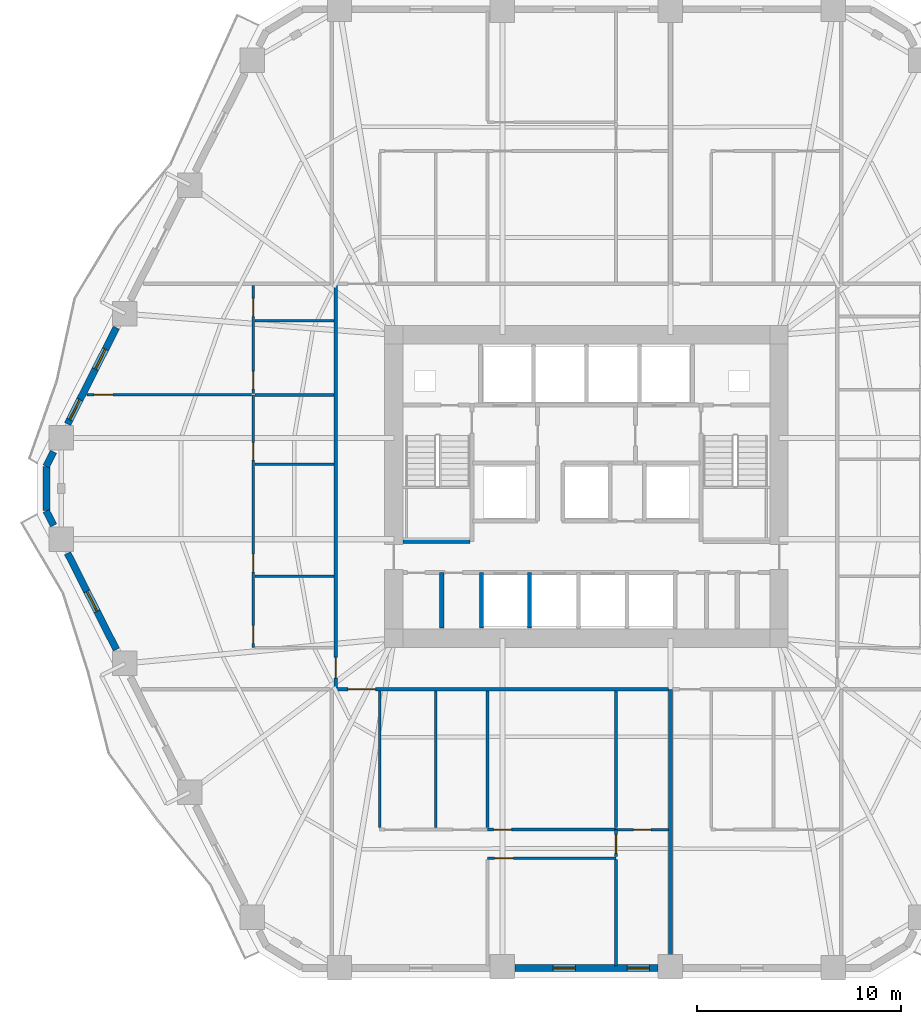
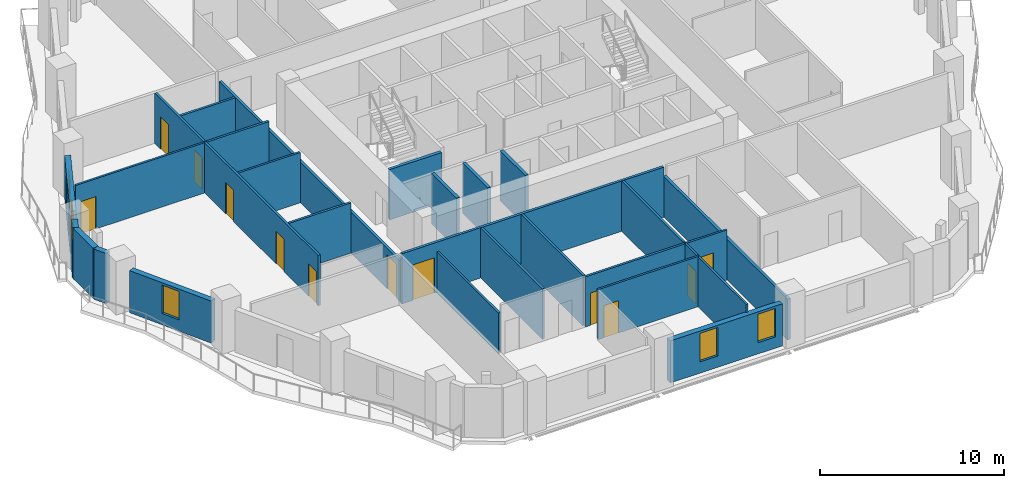
# One storey, part 4 of 11: 29 walls, 12 doors, 5 windows, 17 openings.
"""IFC4 building model written with IfcOpenShell, lengths in metres."""

from ifc_helpers import new_model, si_unit, direction, frame, frame_2d, origin, place, context, subcontext, project, spatial, rectangle, extrude, material, layer, layer_set, type_object, element, fill, save


model = new_model("IFC4")

# Units and contexts
model_context = context("Model", 3, precision=1e-05, world=origin(), true_north=direction((0.0, 1.0)))
body_context = subcontext(model_context, "Body", "Model", "MODEL_VIEW")
ifc_project = project(units=[si_unit("LENGTHUNIT", "METRE"), si_unit("AREAUNIT", "SQUARE_METRE"), si_unit("VOLUMEUNIT", "CUBIC_METRE"), si_unit("PLANEANGLEUNIT", "RADIAN"), si_unit("MASSUNIT", "GRAM", prefix="KILO")], contexts=[model_context])

# Site, building, storey
site_placement = place(None, origin())
site = spatial("IfcSite", under=ifc_project, at=site_placement, CompositionType="ELEMENT")
building_placement = place(site_placement, origin())
building = spatial("IfcBuilding", under=site, at=building_placement, Name="Cinnabar Lancet Tower", CompositionType="ELEMENT")
storey_placement = place(building_placement, frame((0.0, 0.0, 56.85009765625)))
storey = spatial("IfcBuildingStorey", under=building, at=storey_placement, Name="L14", CompositionType="ELEMENT", Elevation=56.85009765625)

# Wall, opening, door
ifc_material_1 = material(Name="Acoustic twin-stud gypsum partition", Category="gypsum")
ifc_layer_1 = layer(ifc_material_1, 0.159912109375)
ifc_layer_set_1 = layer_set([ifc_layer_1], Name="Acoustic twin-stud gypsum partition")
wall_type_1 = type_object("IfcWallType", Name="ARC-WL-CORR-160", PredefinedType="PARTITIONING", material=ifc_layer_set_1)
wall_1_placement = place(storey_placement, frame((19.9951171875, 15.949951171875, 0.0), z_axis=(0.0, 0.0, 1.0), x_axis=(1.0, 0.0, 0.0)))
wall_1 = element("IfcWall", 1, at=wall_1_placement, inside=storey, type_object=wall_type_1, Name="L14 Unit S01 Corridor Wall", PredefinedType="PARTITIONING", context=body_context, shape_type="SweptSolid", body=[
    extrude(rectangle(XDim=16.431884765625, YDim=0.159912109375, at=frame_2d((8.2158203125, 0.0))), origin(), (0.0, 0.0, 1.0), 3.329833984375),
])
opening_1_placement = place(wall_1_placement, frame((0.705078125, 0.0, 0.0)))
opening_1 = element("IfcOpeningElement", 2, at=opening_1_placement, cuts=wall_1, Name="Opening UD-02", PredefinedType="OPENING", context=body_context, shape_type="SweptSolid", body=[
    extrude(rectangle(XDim=1.35009765625, YDim=2.35009765625, at=frame_2d((0.675048828125, 1.175048828125))), frame((0.0, 0.08984375, 0.0), z_axis=(0.0, -1.0, 0.0), x_axis=(1.0, 0.0, 0.0)), (0.0, 0.0, 1.0), 0.179931640625),
])
ifc_material_2 = material(Name="Double-leaf solid timber penthouse entrance door", Category="wood")
door_type_1 = type_object("IfcDoorType", Name="ARC-DR-UNIT-PH", OperationType="NOTDEFINED", PredefinedType="DOOR", material=ifc_material_2)
door_1_placement = place(opening_1_placement, origin())
door_1 = element("IfcDoor", 3, at=door_1_placement, inside=storey, type_object=door_type_1, Name="DR-L14-S01-ENT", OperationType="SINGLE_SWING_LEFT", OverallHeight=2.35009765625, OverallWidth=1.35009765625, PredefinedType="DOOR", context=body_context, shape_type="SweptSolid", body=[
    extrude(rectangle(XDim=1.35009765625, YDim=2.35009765625, at=frame_2d((0.675048828125, 1.175048828125))), frame((0.0, 0.02490234375, 0.0), z_axis=(0.0, -1.0, 0.0), x_axis=(1.0, 0.0, 0.0)), (0.0, 0.0, 1.0), 0.050048828125),
])
fill(opening_1, door_1)

wall_2_placement = place(storey_placement, frame((20.10009765625, 16.044921875, 0.0), z_axis=(0.0, 0.0, 1.0), x_axis=(0.0, 1.0, 0.0)))
wall_2 = element("IfcWall", 4, at=wall_2_placement, inside=storey, type_object=wall_type_1, Name="UW-L14-W01-COR", PredefinedType="PARTITIONING", context=body_context, shape_type="SweptSolid", body=[
    extrude(rectangle(XDim=19.7099609375, YDim=0.159912109375, at=frame_2d((9.85498046875, 0.0))), origin(), (0.0, 0.0, 1.0), 2.699951171875),
])
opening_2_placement = place(wall_2_placement, frame((0.449951171875, 0.0, 0.0)))
opening_2 = element("IfcOpeningElement", 5, at=opening_2_placement, cuts=wall_2, Name="Opening UD-01", PredefinedType="OPENING", context=body_context, shape_type="SweptSolid", body=[
    extrude(rectangle(XDim=1.02001953125, YDim=2.25, at=frame_2d((0.510009765625, 1.125))), frame((0.0, 0.08984375, 0.0), z_axis=(0.0, -1.0, 0.0), x_axis=(1.0, 0.0, 0.0)), (0.0, 0.0, 1.0), 0.179931640625),
])
ifc_material_3 = material(Name="Solid timber fire-rated apartment entrance door", Category="wood")
door_type_2 = type_object("IfcDoorType", Name="ARC-DR-UNIT", OperationType="NOTDEFINED", PredefinedType="DOOR", material=ifc_material_3)
door_2_placement = place(opening_2_placement, origin())
door_2 = element("IfcDoor", 6, at=door_2_placement, inside=storey, type_object=door_type_2, Name="DR-L14-W01-ENT", OperationType="SINGLE_SWING_LEFT", OverallHeight=2.25, OverallWidth=1.02001953125, PredefinedType="DOOR", context=body_context, shape_type="SweptSolid", body=[
    extrude(rectangle(XDim=1.02001953125, YDim=2.25, at=frame_2d((0.510009765625, 1.125))), frame((0.0, 0.02490234375, 0.0), z_axis=(0.0, -1.0, 0.0), x_axis=(1.0, 0.0, 0.0)), (0.0, 0.0, 1.0), 0.050048828125),
])
fill(opening_2, door_2)

# Walls
ifc_material_4 = material(Name="Fire-rated twin-frame acoustic drywall", Category="gypsum")
ifc_layer_2 = layer(ifc_material_4, 0.179931640625)
ifc_layer_set_2 = layer_set([ifc_layer_2], Name="Fire-rated twin-frame acoustic drywall")
wall_type_2 = type_object("IfcWallType", Name="ARC-WL-PARTY-180", PredefinedType="PARTITIONING", material=ifc_layer_set_2)
wall_3_placement = place(storey_placement, frame((36.52197265625, 2.455078125, 0.0), z_axis=(0.0, 0.0, 1.0), x_axis=(0.0, 1.0, 0.0)))
element("IfcWall", 7, at=wall_3_placement, inside=storey, type_object=wall_type_2, Name="PW-L14-SPTY-365", PredefinedType="PARTITIONING", context=body_context, shape_type="SweptSolid", body=[
    extrude(rectangle(XDim=13.494873046875, YDim=0.179931640625, at=frame_2d((6.74755859375, 0.0))), origin(), (0.0, 0.0, 1.0), 2.699951171875),
])
ifc_material_5 = material(Name="Autoclaved aerated concrete blockwork", Category="masonry")
ifc_layer_3 = layer(ifc_material_5, 0.199951171875)
ifc_layer_set_3 = layer_set([ifc_layer_3], Name="Autoclaved aerated concrete blockwork")
wall_type_3 = type_object("IfcWallType", Name="ARC-WL-SHAFT-200", PredefinedType="PLUMBINGWALL", material=ifc_layer_set_3)
wall_4_placement = place(storey_placement, frame((23.405029296875, 23.199951171875, 0.0), z_axis=(0.0, 0.0, 1.0), x_axis=(1.0, 0.0, 0.0)))
element("IfcWall", 8, at=wall_4_placement, inside=storey, type_object=wall_type_3, Name="CW-ST1S-L14", PredefinedType="PLUMBINGWALL", context=body_context, shape_type="SweptSolid", body=[
    extrude(rectangle(XDim=3.27001953125, YDim=0.199951171875, at=frame_2d((1.635009765625, 0.0))), origin(), (0.0, 0.0, 1.0), 3.329833984375),
])
for number, where, z_axis, x_axis, name in (
    (9, (27.25, 18.949951171875, 0.0), (0.0, 0.0, 1.0), (0.0, 1.0, 0.0), "CW-SB-2725-L14"),
    (10, (29.60009765625, 18.949951171875, 0.0), (0.0, 0.0, 1.0), (0.0, 1.0, 0.0), "CW-SB-2960-L14"),
    (11, (25.300048828125, 18.949951171875, 0.0), (0.0, 0.0, 1.0), (0.0, 1.0, 0.0), "CW-SBC2-253-L14"),
):
    element("IfcWall", number, at=place(storey_placement, frame(where, z_axis=z_axis, x_axis=x_axis)), inside=storey, type_object=wall_type_3, Name=name, PredefinedType="PLUMBINGWALL", context=body_context, shape_type="SweptSolid", body=[
        extrude(rectangle(XDim=2.72998046875, YDim=0.199951171875, at=frame_2d((1.364990234375, 0.0))), origin(), (0.0, 0.0, 1.0), 3.329833984375),
    ])
ifc_material_6 = material(Name="Gypsum plasterboard stud partition", Category="gypsum")
ifc_layer_4 = layer(ifc_material_6, 0.125)
ifc_layer_set_4 = layer_set([ifc_layer_4], Name="Gypsum plasterboard stud partition")
wall_type_4 = type_object("IfcWallType", Name="ARC-WL-UNIT-125", PredefinedType="PARTITIONING", material=ifc_layer_set_4)
wall_5_placement = place(storey_placement, frame((22.25, 9.173095703125, 0.0), z_axis=(0.0, 0.0, 1.0), x_axis=(0.0, 1.0, 0.0)))
element("IfcWall", 12, at=wall_5_placement, inside=storey, type_object=wall_type_4, Name="UW-L14-S01-FOYE", PredefinedType="PARTITIONING", context=body_context, shape_type="SweptSolid", body=[
    extrude(rectangle(XDim=6.69189453125, YDim=0.125, at=frame_2d((3.345947265625, 0.0))), origin(), (0.0, 0.0, 1.0), 2.699951171875),
])

# Wall, opening, door
wall_6_placement = place(storey_placement, frame((33.85009765625, 9.068115234375, 0.0), z_axis=(0.0, 0.0, 1.0), x_axis=(1.0, 0.0, 0.0)))
wall_6 = element("IfcWall", 13, at=wall_6_placement, inside=storey, type_object=wall_type_4, Name="UW-L14-S01-SP2", PredefinedType="PARTITIONING", context=body_context, shape_type="SweptSolid", body=[
    extrude(rectangle(XDim=2.576904296875, YDim=0.125, at=frame_2d((1.28857421875, 0.0))), origin(), (0.0, 0.0, 1.0), 3.329833984375),
])
opening_3_placement = place(wall_6_placement, frame((0.863037109375, 0.0, 0.0)))
opening_3 = element("IfcOpeningElement", 14, at=opening_3_placement, cuts=wall_6, Name="Opening BD-01", PredefinedType="OPENING", context=body_context, shape_type="SweptSolid", body=[
    extrude(rectangle(XDim=0.860107421875, YDim=2.10009765625, at=frame_2d((0.43017578125, 1.050048828125))), frame((0.0, 0.072509765625, 0.0), z_axis=(0.0, -1.0, 0.0), x_axis=(1.0, 0.0, 0.0)), (0.0, 0.0, 1.0), 0.14501953125),
])
ifc_material_7 = material(Name="Moisture-resistant timber bathroom door", Category="wood")
door_type_3 = type_object("IfcDoorType", Name="ARC-DR-BATH", OperationType="NOTDEFINED", PredefinedType="DOOR", material=ifc_material_7)
door_3_placement = place(opening_3_placement, origin())
door_3 = element("IfcDoor", 15, at=door_3_placement, inside=storey, type_object=door_type_3, Name="DR-L14-S01-ENS", OperationType="SINGLE_SWING_LEFT", OverallHeight=2.10009765625, OverallWidth=0.860107421875, PredefinedType="DOOR", context=body_context, shape_type="SweptSolid", body=[
    extrude(rectangle(XDim=0.860107421875, YDim=2.10009765625, at=frame_2d((0.43017578125, 1.050048828125))), frame((0.0, 0.02490234375, 0.0), z_axis=(0.0, -1.0, 0.0), x_axis=(1.0, 0.0, 0.0)), (0.0, 0.0, 1.0), 0.050048828125),
])
fill(opening_3, door_3)

wall_7_placement = place(storey_placement, frame((27.5458984375, 7.66796875, 0.0), z_axis=(0.0, 0.0, 1.0), x_axis=(1.0, 0.0, 0.0)))
wall_7 = element("IfcWall", 16, at=wall_7_placement, inside=storey, type_object=wall_type_4, Name="UW-L14-S01-HLN", PredefinedType="PARTITIONING", context=body_context, shape_type="SweptSolid", body=[
    extrude(rectangle(XDim=6.30419921875, YDim=0.125, at=frame_2d((3.152099609375, 0.0))), origin(), (0.0, 0.0, 1.0), 3.329833984375),
])
opening_4_placement = place(wall_7_placement, frame((0.35009765625, 0.0, 0.0)))
opening_4 = element("IfcOpeningElement", 17, at=opening_4_placement, cuts=wall_7, Name="Opening RD-01", PredefinedType="OPENING", context=body_context, shape_type="SweptSolid", body=[
    extrude(rectangle(XDim=0.919921875, YDim=2.14990234375, at=frame_2d((0.4599609375, 1.074951171875))), frame((0.0, 0.072509765625, 0.0), z_axis=(0.0, -1.0, 0.0), x_axis=(1.0, 0.0, 0.0)), (0.0, 0.0, 1.0), 0.14501953125),
])
ifc_material_8 = material(Name="Engineered timber bedroom door", Category="wood")
door_type_4 = type_object("IfcDoorType", Name="ARC-DR-ROOM", OperationType="NOTDEFINED", PredefinedType="DOOR", material=ifc_material_8)
door_4_placement = place(opening_4_placement, origin())
door_4 = element("IfcDoor", 18, at=door_4_placement, inside=storey, type_object=door_type_4, Name="DR-L14-S01-BD2", OperationType="SINGLE_SWING_RIGHT", OverallHeight=2.14990234375, OverallWidth=0.919921875, PredefinedType="DOOR", context=body_context, shape_type="SweptSolid", body=[
    extrude(rectangle(XDim=0.919921875, YDim=2.14990234375, at=frame_2d((0.4599609375, 1.074951171875))), frame((0.0, 0.02490234375, 0.0), z_axis=(0.0, -1.0, 0.0), x_axis=(1.0, 0.0, 0.0)), (0.0, 0.0, 1.0), 0.050048828125),
])
fill(opening_4, door_4)

wall_8_placement = place(storey_placement, frame((33.85009765625, 7.738037109375, 0.0), z_axis=(0.0, 0.0, 1.0), x_axis=(0.0, 1.0, 0.0)))
wall_8 = element("IfcWall", 19, at=wall_8_placement, inside=storey, type_object=wall_type_4, Name="UW-L14-S01-MBE", PredefinedType="PARTITIONING", context=body_context, shape_type="SweptSolid", body=[
    extrude(rectangle(XDim=1.330078125, YDim=0.125, at=frame_2d((0.6650390625, 0.0))), origin(), (0.0, 0.0, 1.0), 3.329833984375),
])
opening_5_placement = place(wall_8_placement, frame((0.159912109375, 0.0, 0.0)))
opening_5 = element("IfcOpeningElement", 20, at=opening_5_placement, cuts=wall_8, Name="Opening RD-01", PredefinedType="OPENING", context=body_context, shape_type="SweptSolid", body=[
    extrude(rectangle(XDim=0.919921875, YDim=2.14990234375, at=frame_2d((0.4599609375, 1.074951171875))), frame((0.0, 0.072509765625, 0.0), z_axis=(0.0, -1.0, 0.0), x_axis=(1.0, 0.0, 0.0)), (0.0, 0.0, 1.0), 0.14501953125),
])
door_5_placement = place(opening_5_placement, origin())
door_5 = element("IfcDoor", 21, at=door_5_placement, inside=storey, type_object=door_type_4, Name="DR-L14-S01-MBD", OperationType="SINGLE_SWING_RIGHT", OverallHeight=2.14990234375, OverallWidth=0.919921875, PredefinedType="DOOR", context=body_context, shape_type="SweptSolid", body=[
    extrude(rectangle(XDim=0.919921875, YDim=2.14990234375, at=frame_2d((0.4599609375, 1.074951171875))), frame((0.0, 0.02490234375, 0.0), z_axis=(0.0, -1.0, 0.0), x_axis=(1.0, 0.0, 0.0)), (0.0, 0.0, 1.0), 0.050048828125),
])
fill(opening_5, door_5)

# Wall
wall_9_placement = place(storey_placement, frame((33.85009765625, 2.364990234375, 0.0), z_axis=(0.0, 0.0, 1.0), x_axis=(0.0, 1.0, 0.0)))
element("IfcWall", 22, at=wall_9_placement, inside=storey, type_object=wall_type_4, Name="UW-L14-S01-MB2W", PredefinedType="PARTITIONING", context=body_context, shape_type="SweptSolid", body=[
    extrude(rectangle(XDim=5.238037109375, YDim=0.125, at=frame_2d((2.619140625, 0.0))), origin(), (0.0, 0.0, 1.0), 3.329833984375),
])

# Wall, opening, door
wall_10_placement = place(storey_placement, frame((7.889892578125, 30.39697265625, 0.0), z_axis=(0.0, 0.0, 1.0), x_axis=(1.0, 0.0, 0.0)))
wall_10 = element("IfcWall", 23, at=wall_10_placement, inside=storey, type_object=wall_type_4, Name="UW-L14-W01-MBN", PredefinedType="PARTITIONING", context=body_context, shape_type="SweptSolid", body=[
    extrude(rectangle(XDim=8.085205078125, YDim=0.125, at=frame_2d((4.04248046875, 0.0))), origin(), (0.0, 0.0, 1.0), 3.329833984375),
])
opening_6_placement = place(wall_10_placement, frame((0.35009765625, 0.0, 0.0)))
opening_6 = element("IfcOpeningElement", 24, at=opening_6_placement, cuts=wall_10, Name="Opening RD-01", PredefinedType="OPENING", context=body_context, shape_type="SweptSolid", body=[
    extrude(rectangle(XDim=0.919921875, YDim=2.14990234375, at=frame_2d((0.4599609375, 1.074951171875))), frame((0.0, 0.072509765625, 0.0), z_axis=(0.0, -1.0, 0.0), x_axis=(1.0, 0.0, 0.0)), (0.0, 0.0, 1.0), 0.14501953125),
])
door_6_placement = place(opening_6_placement, origin())
door_6 = element("IfcDoor", 25, at=door_6_placement, inside=storey, type_object=door_type_4, Name="DR-L14-W01-MBD", OperationType="SINGLE_SWING_LEFT", OverallHeight=2.14990234375, OverallWidth=0.919921875, PredefinedType="DOOR", context=body_context, shape_type="SweptSolid", body=[
    extrude(rectangle(XDim=0.919921875, YDim=2.14990234375, at=frame_2d((0.4599609375, 1.074951171875))), frame((0.0, 0.02490234375, 0.0), z_axis=(0.0, -1.0, 0.0), x_axis=(1.0, 0.0, 0.0)), (0.0, 0.0, 1.0), 0.050048828125),
])
fill(opening_6, door_6)

# Wall
wall_11_placement = place(storey_placement, frame((16.135009765625, 26.9970703125, 0.0), z_axis=(0.0, 0.0, 1.0), x_axis=(1.0, 0.0, 0.0)))
element("IfcWall", 26, at=wall_11_placement, inside=storey, type_object=wall_type_4, Name="UW-L14-W01-UDV", PredefinedType="PARTITIONING", context=body_context, shape_type="SweptSolid", body=[
    extrude(rectangle(XDim=3.8798828125, YDim=0.125, at=frame_2d((1.93994140625, 0.0))), origin(), (0.0, 0.0, 1.0), 3.329833984375),
])

# Wall, opening, door
ifc_material_9 = material(Name="Moisture-resistant cement-board plumbing wall", Category="masonry")
ifc_layer_5 = layer(ifc_material_9, 0.139892578125)
ifc_layer_set_5 = layer_set([ifc_layer_5], Name="Moisture-resistant cement-board plumbing wall")
wall_type_5 = type_object("IfcWallType", Name="ARC-WL-WET-140", PredefinedType="PLUMBINGWALL", material=ifc_layer_set_5)
wall_12_placement = place(storey_placement, frame((27.5458984375, 9.068115234375, 0.0), z_axis=(0.0, 0.0, 1.0), x_axis=(1.0, 0.0, 0.0)))
wall_12 = element("IfcWall", 27, at=wall_12_placement, inside=storey, type_object=wall_type_5, Name="UW-L14-S01-SPM", PredefinedType="PLUMBINGWALL", context=body_context, shape_type="SweptSolid", body=[
    extrude(rectangle(XDim=6.30419921875, YDim=0.139892578125, at=frame_2d((3.152099609375, 0.0))), origin(), (0.0, 0.0, 1.0), 3.329833984375),
])
opening_7_placement = place(wall_12_placement, frame((0.300048828125, 0.0, 0.0)))
opening_7 = element("IfcOpeningElement", 28, at=opening_7_placement, cuts=wall_12, Name="Opening RD-02", PredefinedType="OPENING", context=body_context, shape_type="SweptSolid", body=[
    extrude(rectangle(XDim=0.8798828125, YDim=2.14990234375, at=frame_2d((0.43994140625, 1.074951171875))), frame((0.0, 0.079833984375, 0.0), z_axis=(0.0, -1.0, 0.0), x_axis=(1.0, 0.0, 0.0)), (0.0, 0.0, 1.0), 0.159912109375),
])
ifc_material_10 = material(Name="Engineered timber study door", Category="wood")
door_type_5 = type_object("IfcDoorType", Name="ARC-DR-STUDY", OperationType="NOTDEFINED", PredefinedType="DOOR", material=ifc_material_10)
door_7_placement = place(opening_7_placement, origin())
door_7 = element("IfcDoor", 29, at=door_7_placement, inside=storey, type_object=door_type_5, Name="DR-L14-S01-UTL", OperationType="SINGLE_SWING_LEFT", OverallHeight=2.14990234375, OverallWidth=0.8798828125, PredefinedType="DOOR", context=body_context, shape_type="SweptSolid", body=[
    extrude(rectangle(XDim=0.8798828125, YDim=2.14990234375, at=frame_2d((0.43994140625, 1.074951171875))), frame((0.0, 0.02490234375, 0.0), z_axis=(0.0, -1.0, 0.0), x_axis=(1.0, 0.0, 0.0)), (0.0, 0.0, 1.0), 0.050048828125),
])
fill(opening_7, door_7)

# Walls
for number, where, z_axis, x_axis, name in (
    (30, (25.00390625, 9.173095703125, 0.0), (0.0, 0.0, 1.0), (0.0, 1.0, 0.0), "UW-L14-S01-KDV"),
    (31, (27.5458984375, 9.173095703125, 0.0), (0.0, 0.0, 1.0), (0.0, 1.0, 0.0), "UW-L14-S01-ENSW"),
    (32, (33.85009765625, 9.173095703125, 0.0), (0.0, 0.0, 1.0), (0.0, 1.0, 0.0), "UW-L14-S01-ENSE"),
):
    element("IfcWall", number, at=place(storey_placement, frame(where, z_axis=z_axis, x_axis=x_axis)), inside=storey, type_object=wall_type_5, Name=name, PredefinedType="PLUMBINGWALL", context=body_context, shape_type="SweptSolid", body=[
        extrude(rectangle(XDim=6.69189453125, YDim=0.139892578125, at=frame_2d((3.345947265625, 0.0))), origin(), (0.0, 0.0, 1.0), 3.329833984375),
    ])

# Wall, openings, doors
wall_13_placement = place(storey_placement, frame((16.050048828125, 18.0, 0.0), z_axis=(0.0, 0.0, 1.0), x_axis=(0.0, 1.0, 0.0)))
wall_13 = element("IfcWall", 33, at=wall_13_placement, inside=storey, type_object=wall_type_5, Name="UW-L14-W01-SPL", PredefinedType="PLUMBINGWALL", context=body_context, shape_type="SweptSolid", body=[
    extrude(rectangle(XDim=12.39697265625, YDim=0.139892578125, at=frame_2d((6.198486328125, 0.0))), origin(), (0.0, 0.0, 1.0), 3.329833984375),
])
opening_8_placement = place(wall_13_placement, frame((0.199951171875, 0.0, 0.0)))
opening_8 = element("IfcOpeningElement", 34, at=opening_8_placement, cuts=wall_13, Name="Opening RD-02", PredefinedType="OPENING", context=body_context, shape_type="SweptSolid", body=[
    extrude(rectangle(XDim=0.8798828125, YDim=2.14990234375, at=frame_2d((0.43994140625, 1.074951171875))), frame((0.0, 0.079833984375, 0.0), z_axis=(0.0, -1.0, 0.0), x_axis=(1.0, 0.0, 0.0)), (0.0, 0.0, 1.0), 0.159912109375),
])
opening_9_placement = place(wall_13_placement, frame((3.699951171875, 0.0, 0.0)))
opening_9 = element("IfcOpeningElement", 35, at=opening_9_placement, cuts=wall_13, Name="Opening RD-02", PredefinedType="OPENING", context=body_context, shape_type="SweptSolid", body=[
    extrude(rectangle(XDim=0.8798828125, YDim=2.14990234375, at=frame_2d((0.43994140625, 1.074951171875))), frame((0.0, 0.079833984375, 0.0), z_axis=(0.0, -1.0, 0.0), x_axis=(1.0, 0.0, 0.0)), (0.0, 0.0, 1.0), 0.159912109375),
])
opening_10_placement = place(wall_13_placement, frame((9.197021484375, 0.0, 0.0)))
opening_10 = element("IfcOpeningElement", 36, at=opening_10_placement, cuts=wall_13, Name="Opening BD-01", PredefinedType="OPENING", context=body_context, shape_type="SweptSolid", body=[
    extrude(rectangle(XDim=0.860107421875, YDim=2.10009765625, at=frame_2d((0.43017578125, 1.050048828125))), frame((0.0, 0.079833984375, 0.0), z_axis=(0.0, -1.0, 0.0), x_axis=(1.0, 0.0, 0.0)), (0.0, 0.0, 1.0), 0.159912109375),
])
door_8_placement = place(opening_10_placement, origin())
door_8 = element("IfcDoor", 37, at=door_8_placement, inside=storey, type_object=door_type_3, Name="DR-L14-W01-BTH", OperationType="SINGLE_SWING_RIGHT", OverallHeight=2.10009765625, OverallWidth=0.860107421875, PredefinedType="DOOR", context=body_context, shape_type="SweptSolid", body=[
    extrude(rectangle(XDim=0.860107421875, YDim=2.10009765625, at=frame_2d((0.43017578125, 1.050048828125))), frame((0.0, 0.02490234375, 0.0), z_axis=(0.0, -1.0, 0.0), x_axis=(1.0, 0.0, 0.0)), (0.0, 0.0, 1.0), 0.050048828125),
])
fill(opening_10, door_8)
door_9_placement = place(opening_8_placement, origin())
door_9 = element("IfcDoor", 38, at=door_9_placement, inside=storey, type_object=door_type_5, Name="DR-L14-W01-KIT", OperationType="SINGLE_SWING_RIGHT", OverallHeight=2.14990234375, OverallWidth=0.8798828125, PredefinedType="DOOR", context=body_context, shape_type="SweptSolid", body=[
    extrude(rectangle(XDim=0.8798828125, YDim=2.14990234375, at=frame_2d((0.43994140625, 1.074951171875))), frame((0.0, 0.02490234375, 0.0), z_axis=(0.0, -1.0, 0.0), x_axis=(1.0, 0.0, 0.0)), (0.0, 0.0, 1.0), 0.050048828125),
])
fill(opening_8, door_9)
door_10_placement = place(opening_9_placement, origin())
door_10 = element("IfcDoor", 39, at=door_10_placement, inside=storey, type_object=door_type_5, Name="DR-L14-W01-UTL", OperationType="SINGLE_SWING_LEFT", OverallHeight=2.14990234375, OverallWidth=0.8798828125, PredefinedType="DOOR", context=body_context, shape_type="SweptSolid", body=[
    extrude(rectangle(XDim=0.8798828125, YDim=2.14990234375, at=frame_2d((0.43994140625, 1.074951171875))), frame((0.0, 0.02490234375, 0.0), z_axis=(0.0, -1.0, 0.0), x_axis=(1.0, 0.0, 0.0)), (0.0, 0.0, 1.0), 0.050048828125),
])
fill(opening_9, door_10)

wall_14_placement = place(storey_placement, frame((16.050048828125, 30.467041015625, 0.0), z_axis=(0.0, 0.0, 1.0), x_axis=(0.0, 1.0, 0.0)))
wall_14 = element("IfcWall", 40, at=wall_14_placement, inside=storey, type_object=wall_type_5, Name="UW-L14-W01-SPM", PredefinedType="PLUMBINGWALL", context=body_context, shape_type="SweptSolid", body=[
    extrude(rectangle(XDim=5.287841796875, YDim=0.139892578125, at=frame_2d((2.64404296875, 0.0))), origin(), (0.0, 0.0, 1.0), 3.329833984375),
])
opening_11_placement = place(wall_14_placement, frame((0.219970703125, 0.0, 0.0)))
opening_11 = element("IfcOpeningElement", 41, at=opening_11_placement, cuts=wall_14, Name="Opening BD-01", PredefinedType="OPENING", context=body_context, shape_type="SweptSolid", body=[
    extrude(rectangle(XDim=0.860107421875, YDim=2.10009765625, at=frame_2d((0.43017578125, 1.050048828125))), frame((0.0, 0.079833984375, 0.0), z_axis=(0.0, -1.0, 0.0), x_axis=(1.0, 0.0, 0.0)), (0.0, 0.0, 1.0), 0.159912109375),
])
opening_12_placement = place(wall_14_placement, frame((3.785888671875, 0.0, 0.0)))
opening_12 = element("IfcOpeningElement", 42, at=opening_12_placement, cuts=wall_14, Name="Opening RD-02", PredefinedType="OPENING", context=body_context, shape_type="SweptSolid", body=[
    extrude(rectangle(XDim=0.8798828125, YDim=2.14990234375, at=frame_2d((0.43994140625, 1.074951171875))), frame((0.0, 0.079833984375, 0.0), z_axis=(0.0, -1.0, 0.0), x_axis=(1.0, 0.0, 0.0)), (0.0, 0.0, 1.0), 0.159912109375),
])
door_11_placement = place(opening_11_placement, origin())
door_11 = element("IfcDoor", 43, at=door_11_placement, inside=storey, type_object=door_type_3, Name="DR-L14-W01-ENS", OperationType="SINGLE_SWING_LEFT", OverallHeight=2.10009765625, OverallWidth=0.860107421875, PredefinedType="DOOR", context=body_context, shape_type="SweptSolid", body=[
    extrude(rectangle(XDim=0.860107421875, YDim=2.10009765625, at=frame_2d((0.43017578125, 1.050048828125))), frame((0.0, 0.02490234375, 0.0), z_axis=(0.0, -1.0, 0.0), x_axis=(1.0, 0.0, 0.0)), (0.0, 0.0, 1.0), 0.050048828125),
])
fill(opening_11, door_11)
door_12_placement = place(opening_12_placement, origin())
door_12 = element("IfcDoor", 44, at=door_12_placement, inside=storey, type_object=door_type_5, Name="DR-L14-W01-EWDR", OperationType="SINGLE_SWING_RIGHT", OverallHeight=2.14990234375, OverallWidth=0.8798828125, PredefinedType="DOOR", context=body_context, shape_type="SweptSolid", body=[
    extrude(rectangle(XDim=0.8798828125, YDim=2.14990234375, at=frame_2d((0.43994140625, 1.074951171875))), frame((0.0, 0.02490234375, 0.0), z_axis=(0.0, -1.0, 0.0), x_axis=(1.0, 0.0, 0.0)), (0.0, 0.0, 1.0), 0.050048828125),
])
fill(opening_12, door_12)

# Walls
for number, where, z_axis, x_axis, name in (
    (45, (16.135009765625, 30.39697265625, 0.0), (0.0, 0.0, 1.0), (1.0, 0.0, 0.0), "UW-L14-W01-ENSN"),
    (46, (16.135009765625, 21.5, 0.0), (0.0, 0.0, 1.0), (1.0, 0.0, 0.0), "UW-L14-W01-KDV"),
):
    element("IfcWall", number, at=place(storey_placement, frame(where, z_axis=z_axis, x_axis=x_axis)), inside=storey, type_object=wall_type_5, Name=name, PredefinedType="PLUMBINGWALL", context=body_context, shape_type="SweptSolid", body=[
        extrude(rectangle(XDim=3.8798828125, YDim=0.139892578125, at=frame_2d((1.93994140625, 0.0))), origin(), (0.0, 0.0, 1.0), 3.329833984375),
    ])
wall_15_placement = place(storey_placement, frame((16.135009765625, 34.032958984375, 0.0), z_axis=(0.0, 0.0, 1.0), x_axis=(1.0, 0.0, 0.0)))
element("IfcWall", 47, at=wall_15_placement, inside=storey, type_object=wall_type_5, Name="UW-L14-W01-EWDV", PredefinedType="PLUMBINGWALL", context=body_context, shape_type="SweptSolid", body=[
    extrude(rectangle(XDim=3.8798828125, YDim=0.139892578125, at=frame_2d((1.93994140625, 0.0))), origin(), (0.0, 0.0, 1.0), 2.699951171875),
])
ifc_material_11 = material(Name="Cinnabar red clay brick", Category="masonry")
ifc_layer_6 = layer(ifc_material_11, 0.340087890625)
ifc_layer_set_6 = layer_set([ifc_layer_6], Name="Cinnabar red clay brick")
wall_type_6 = type_object("IfcWallType", Name="ENV-WL-BRK-RED-340", PredefinedType="STANDARD", material=ifc_layer_set_6)
wall_16_placement = place(storey_placement, frame((5.912109375, 26.885986328125, 0.0), z_axis=(0.0, 0.0, 1.0), x_axis=(0.0, -1.0, 0.0)))
element("IfcWall", 48, at=wall_16_placement, inside=storey, type_object=wall_type_6, Name="L14 Chamfered Corner Brick Pier 6.1", PredefinedType="STANDARD", context=body_context, shape_type="SweptSolid", body=[
    extrude(rectangle(XDim=2.171875, YDim=0.340087890625, at=frame_2d((1.0859375, 0.0))), origin(), (0.0, 0.0, 1.0), 3.329833984375),
])

# Wall, openings, windows
wall_17_placement = place(storey_placement, frame((28.882080078125, 2.280029296875, 0.0), z_axis=(0.0, 0.0, 1.0), x_axis=(1.0, 0.0, 0.0)))
wall_17 = element("IfcWall", 49, at=wall_17_placement, inside=storey, type_object=wall_type_6, Name="L14 Face 1 Masonry Bay Wall 3", PredefinedType="STANDARD", context=body_context, shape_type="SweptSolid", body=[
    extrude(rectangle(XDim=7.035888671875, YDim=0.340087890625, at=frame_2d((3.51806640625, 0.0))), origin(), (0.0, 0.0, 1.0), 2.786865234375),
])
opening_13_placement = place(wall_17_placement, frame((1.8779296875, 0.0, 0.75)))
opening_13 = element("IfcOpeningElement", 50, at=opening_13_placement, cuts=wall_17, Name="Opening WN-04", PredefinedType="OPENING", context=body_context, shape_type="SweptSolid", body=[
    extrude(rectangle(XDim=1.10009765625, YDim=1.886962890625, at=frame_2d((0.550048828125, 0.943359375))), frame((0.0, 0.179931640625, 0.0), z_axis=(0.0, -1.0, 0.0), x_axis=(1.0, 0.0, 0.0)), (0.0, 0.0, 1.0), 0.360107421875),
])
opening_14_placement = place(wall_17_placement, frame((5.508056640625, 0.0, 0.75)))
opening_14 = element("IfcOpeningElement", 51, at=opening_14_placement, cuts=wall_17, Name="Opening WN-04", PredefinedType="OPENING", context=body_context, shape_type="SweptSolid", body=[
    extrude(rectangle(XDim=1.10009765625, YDim=1.886962890625, at=frame_2d((0.550048828125, 0.943359375))), frame((0.0, 0.179931640625, 0.0), z_axis=(0.0, -1.0, 0.0), x_axis=(1.0, 0.0, 0.0)), (0.0, 0.0, 1.0), 0.360107421875),
])
ifc_material_12 = material(Name="Thermally broken bronze-anodized aluminium tall lancet window", Category="aluminium")
window_type = type_object("IfcWindowType", Name="ENV-WN-LANCET-1100", PartitioningType="SINGLE_PANEL", PredefinedType="WINDOW", material=ifc_material_12)
window_1_placement = place(opening_13_placement, origin())
window_1 = element("IfcWindow", 52, at=window_1_placement, inside=storey, type_object=window_type, Name="L14 Face 1 Gothic Lancet Window 3", OverallHeight=1.886962890625, OverallWidth=1.10009765625, PartitioningType="SINGLE_PANEL", PredefinedType="WINDOW", context=body_context, shape_type="SweptSolid", body=[
    extrude(rectangle(XDim=1.10009765625, YDim=1.886962890625, at=frame_2d((0.550048828125, 0.943359375))), frame((0.0, 0.030029296875, 0.0), z_axis=(0.0, -1.0, 0.0), x_axis=(1.0, 0.0, 0.0)), (0.0, 0.0, 1.0), 0.06005859375),
])
fill(opening_13, window_1)
window_2_placement = place(opening_14_placement, origin())
window_2 = element("IfcWindow", 53, at=window_2_placement, inside=storey, type_object=window_type, Name="L14 Split-Bay Gothic Lancet Window 32", OverallHeight=1.886962890625, OverallWidth=1.10009765625, PartitioningType="SINGLE_PANEL", PredefinedType="WINDOW", context=body_context, shape_type="SweptSolid", body=[
    extrude(rectangle(XDim=1.10009765625, YDim=1.886962890625, at=frame_2d((0.550048828125, 0.943359375))), frame((0.0, 0.030029296875, 0.0), z_axis=(0.0, -1.0, 0.0), x_axis=(1.0, 0.0, 0.0)), (0.0, 0.0, 1.0), 0.06005859375),
])
fill(opening_14, window_2)

wall_18_placement = place(storey_placement, frame((9.3349609375, 33.698974609375, 0.0), z_axis=(0.0, 0.0, 1.0), x_axis=(-0.451590635984, -0.892225250422, 0.0)))
wall_18 = element("IfcWall", 54, at=wall_18_placement, inside=storey, type_object=wall_type_6, Name="L14 Face 5 Masonry Bay Wall 4", PredefinedType="STANDARD", context=body_context, shape_type="SweptSolid", body=[
    extrude(rectangle(XDim=5.303466796875, YDim=0.340087890625, at=frame_2d((2.65185546875, 0.0))), origin(), (0.0, 0.0, 1.0), 2.786865234375),
])
opening_15_placement = place(wall_18_placement, frame((1.18896484375, 0.0, 0.75)))
opening_15 = element("IfcOpeningElement", 55, at=opening_15_placement, cuts=wall_18, Name="Opening WN-04", PredefinedType="OPENING", context=body_context, shape_type="SweptSolid", body=[
    extrude(rectangle(XDim=1.10009765625, YDim=1.886962890625, at=frame_2d((0.550048828125, 0.943359375))), frame((0.0, 0.179931640625, 0.0), z_axis=(0.0, -1.0, 0.0), x_axis=(1.0, 0.0, 0.0)), (0.0, 0.0, 1.0), 0.360107421875),
])
opening_16_placement = place(wall_18_placement, frame((3.9609375, 0.0, 0.75)))
opening_16 = element("IfcOpeningElement", 56, at=opening_16_placement, cuts=wall_18, Name="Opening WN-04", PredefinedType="OPENING", context=body_context, shape_type="SweptSolid", body=[
    extrude(rectangle(XDim=1.10009765625, YDim=1.886962890625, at=frame_2d((0.550048828125, 0.943359375))), frame((0.0, 0.179931640625, 0.0), z_axis=(0.0, -1.0, 0.0), x_axis=(1.0, 0.0, 0.0)), (0.0, 0.0, 1.0), 0.360107421875),
])
window_3_placement = place(opening_15_placement, origin())
window_3 = element("IfcWindow", 57, at=window_3_placement, inside=storey, type_object=window_type, Name="L14 Face 5 Gothic Lancet Window 4", OverallHeight=1.886962890625, OverallWidth=1.10009765625, PartitioningType="SINGLE_PANEL", PredefinedType="WINDOW", context=body_context, shape_type="SweptSolid", body=[
    extrude(rectangle(XDim=1.10009765625, YDim=1.886962890625, at=frame_2d((0.550048828125, 0.943359375))), frame((0.0, 0.030029296875, 0.0), z_axis=(0.0, -1.0, 0.0), x_axis=(1.0, 0.0, 0.0)), (0.0, 0.0, 1.0), 0.06005859375),
])
fill(opening_15, window_3)
window_4_placement = place(opening_16_placement, origin())
window_4 = element("IfcWindow", 58, at=window_4_placement, inside=storey, type_object=window_type, Name="L14 Split-Bay Gothic Lancet Window 35", OverallHeight=1.886962890625, OverallWidth=1.10009765625, PartitioningType="SINGLE_PANEL", PredefinedType="WINDOW", context=body_context, shape_type="SweptSolid", body=[
    extrude(rectangle(XDim=1.10009765625, YDim=1.886962890625, at=frame_2d((0.550048828125, 0.943359375))), frame((0.0, 0.030029296875, 0.0), z_axis=(0.0, -1.0, 0.0), x_axis=(1.0, 0.0, 0.0)), (0.0, 0.0, 1.0), 0.06005859375),
])
fill(opening_16, window_4)

# Walls
for number, where, z_axis, x_axis, name in (
    (59, (6.251953125, 27.60498046875, 0.0), (0.0, 0.0, 1.0), (-0.452101093511, -0.891966704113, 0.0), "L14 Face 5 Masonry Bay Wall 5"),
    (60, (5.89111328125, 24.70703125, 0.0), (0.0, 0.0, 1.0), (0.452101093511, -0.891966704113, 0.0), "L14 Face 6 Masonry Bay Wall 1"),
):
    element("IfcWall", number, at=place(storey_placement, frame(where, z_axis=z_axis, x_axis=x_axis)), inside=storey, type_object=wall_type_6, Name=name, PredefinedType="STANDARD", context=body_context, shape_type="SweptSolid", body=[
        extrude(rectangle(XDim=0.798095703125, YDim=0.340087890625, at=frame_2d((0.39892578125, 0.0))), origin(), (0.0, 0.0, 1.0), 3.329833984375),
    ])

# Wall, opening, window
wall_19_placement = place(storey_placement, frame((6.93994140625, 22.633056640625, 0.0), z_axis=(0.0, 0.0, 1.0), x_axis=(0.451572088722, -0.892234637686, 0.0)))
wall_19 = element("IfcWall", 61, at=wall_19_placement, inside=storey, type_object=wall_type_6, Name="L14 Face 6 Masonry Bay Wall 2", PredefinedType="STANDARD", context=body_context, shape_type="SweptSolid", body=[
    extrude(rectangle(XDim=5.3037109375, YDim=0.340087890625, at=frame_2d((2.65185546875, 0.0))), origin(), (0.0, 0.0, 1.0), 2.786865234375),
])
opening_17_placement = place(wall_19_placement, frame((2.10205078125, 0.0, 0.75)))
opening_17 = element("IfcOpeningElement", 62, at=opening_17_placement, cuts=wall_19, Name="Opening WN-04", PredefinedType="OPENING", context=body_context, shape_type="SweptSolid", body=[
    extrude(rectangle(XDim=1.10009765625, YDim=1.886962890625, at=frame_2d((0.550048828125, 0.943359375))), frame((0.0, 0.179931640625, 0.0), z_axis=(0.0, -1.0, 0.0), x_axis=(1.0, 0.0, 0.0)), (0.0, 0.0, 1.0), 0.360107421875),
])
window_5_placement = place(opening_17_placement, origin())
window_5 = element("IfcWindow", 63, at=window_5_placement, inside=storey, type_object=window_type, Name="L14 Face 6 Gothic Lancet Window 2", OverallHeight=1.886962890625, OverallWidth=1.10009765625, PartitioningType="SINGLE_PANEL", PredefinedType="WINDOW", context=body_context, shape_type="SweptSolid", body=[
    extrude(rectangle(XDim=1.10009765625, YDim=1.886962890625, at=frame_2d((0.550048828125, 0.943359375))), frame((0.0, 0.030029296875, 0.0), z_axis=(0.0, -1.0, 0.0), x_axis=(1.0, 0.0, 0.0)), (0.0, 0.0, 1.0), 0.06005859375),
])
fill(opening_17, window_5)

save(model, "model.ifc")
